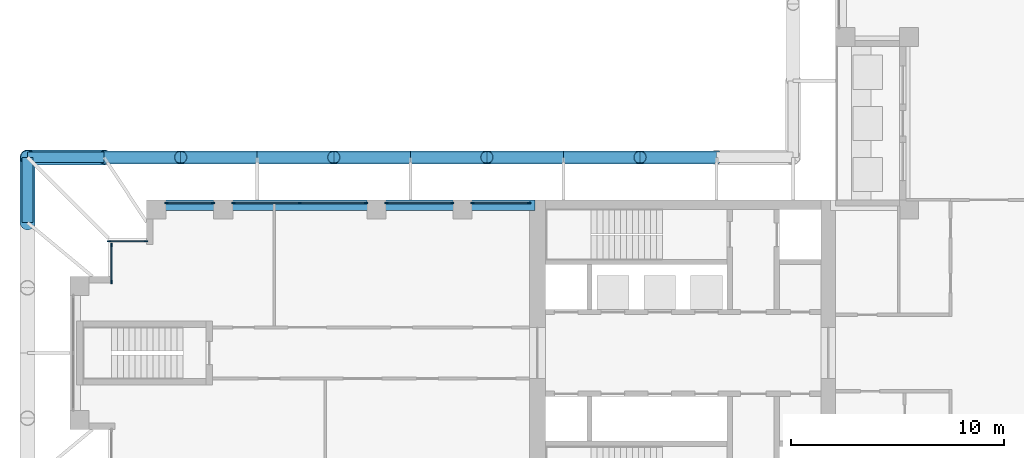
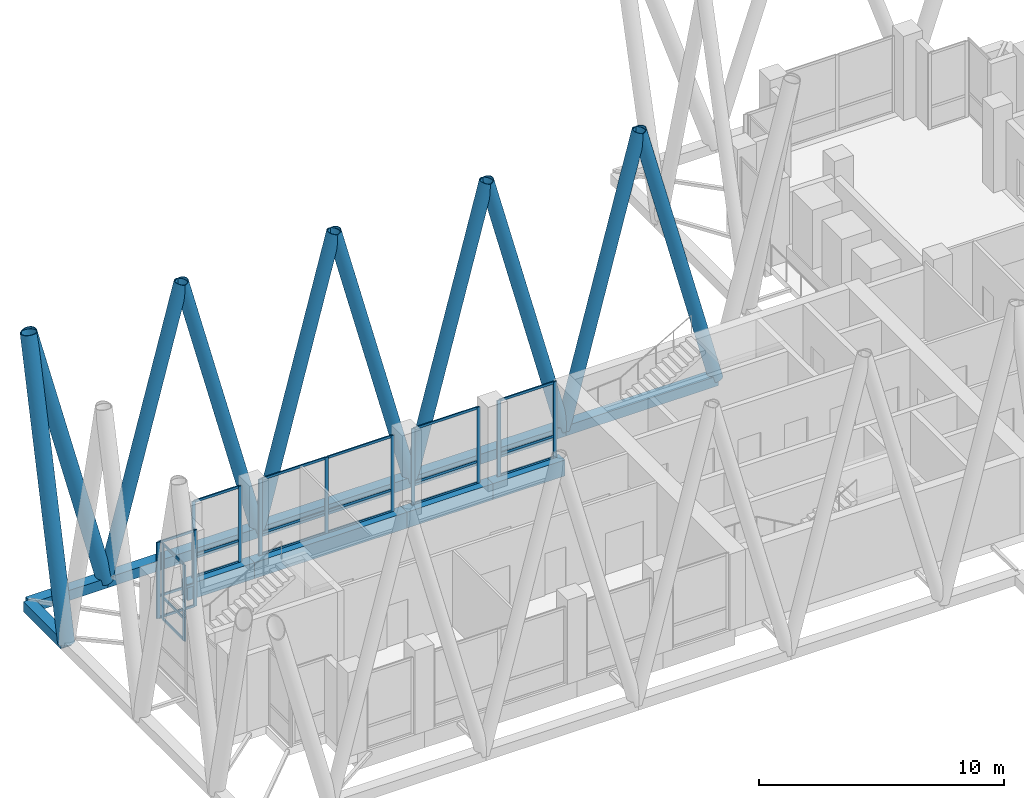
# One storey, part 5 of 22: 50 members, 4 beams, 6 elements without a shape of their own.
"""IFC4 building model written with IfcOpenShell, lengths in metres."""

from ifc_helpers import new_model, si_unit, direction, frame, origin, origin_2d, place, context, subcontext, project, spatial, rectangle, hollow_rectangle, hollow_circle, extrude, material, material_profile, profile_set, type_object, element, aggregate, save


model = new_model("IFC4")

# Units and contexts
model_context = context("Model", 3, precision=1e-05, world=origin(), true_north=direction((0.0, 1.0)))
body_context = subcontext(model_context, "Body", "Model", "MODEL_VIEW")
ifc_project = project(units=[si_unit("LENGTHUNIT", "METRE"), si_unit("AREAUNIT", "SQUARE_METRE"), si_unit("VOLUMEUNIT", "CUBIC_METRE"), si_unit("PLANEANGLEUNIT", "RADIAN"), si_unit("MASSUNIT", "GRAM", prefix="KILO")], contexts=[model_context])

# Site, building, storey
site_placement = place(None, origin())
site = spatial("IfcSite", under=ifc_project, at=site_placement, CompositionType="ELEMENT")
building_placement = place(site_placement, origin())
building = spatial("IfcBuilding", under=site, at=building_placement, Name="Fustian Cross Tower", CompositionType="ELEMENT")
storey_placement = place(building_placement, frame((0.0, 0.0, 116.10009765625)))
storey = spatial("IfcBuildingStorey", under=building, at=storey_placement, Name="L36", CompositionType="ELEMENT", Elevation=116.10009765625)

# Curtain wall, members
ifc_material_1 = material(Name="Dark anodised aluminium and double glazing", Category="aluminium")
curtain_wall_type = type_object("IfcCurtainWallType", Name="CW1 LOUNGE CURTAIN WALL", PredefinedType="NOTDEFINED", material=ifc_material_1)
curtain_wall_1_placement = place(storey_placement, origin())
curtain_wall_1 = element("IfcCurtainWall", 1, at=curtain_wall_1_placement, inside=storey, type_object=curtain_wall_type, Name="Curtain wall", PredefinedType="NOTDEFINED")
ifc_material_2 = material(Name="Aluminium alloy 6063", Category="aluminium")
ifc_material_profile_1 = material_profile(ifc_material_2, rectangle(XDim=0.06005859375, YDim=0.159912109375, at=origin_2d()), Name="CW1 MULLION 60X160")
ifc_profile_set_1 = profile_set([ifc_material_profile_1], Name="Aluminium alloy 6063")
member_type_1 = type_object("IfcMemberType", Name="CW1 MULLION 60X160", PredefinedType="MULLION", material=ifc_profile_set_1)
member_1_placement = place(storey_placement, frame((-21.6298828125, 7.050048828125, 0.0), z_axis=(0.0, 0.0, 1.0), x_axis=(0.0, -1.0, 0.0)))
member_1 = element("IfcMember", 2, at=member_1_placement, type_object=member_type_1, Name="CW1 mullion 1", PredefinedType="MULLION", context=body_context, shape_type="SweptSolid", body=[
    extrude(rectangle(XDim=0.06005859375, YDim=0.159912109375, at=origin_2d()), origin(), (0.0, 0.0, 1.0), 3.7998046875),
])
member_2_placement = place(storey_placement, frame((-24.27001953125, 7.050048828125, 0.0), z_axis=(0.0, 0.0, 1.0), x_axis=(0.0, -1.0, 0.0)))
member_2 = element("IfcMember", 3, at=member_2_placement, type_object=member_type_1, Name="CW1 mullion 2", PredefinedType="MULLION", context=body_context, shape_type="SweptSolid", body=[
    extrude(rectangle(XDim=0.06005859375, YDim=0.159912109375, at=origin_2d()), origin(), (0.0, 0.0, 1.0), 3.7998046875),
])

curtain_wall_2_placement = place(storey_placement, origin())
curtain_wall_2 = element("IfcCurtainWall", 4, at=curtain_wall_2_placement, inside=storey, type_object=curtain_wall_type, Name="Curtain wall", PredefinedType="NOTDEFINED")
member_3_placement = place(storey_placement, frame((-25.22998046875, 7.050048828125, 0.0), z_axis=(0.0, 0.0, 1.0), x_axis=(0.0, -1.0, 0.0)))
member_3 = element("IfcMember", 5, at=member_3_placement, type_object=member_type_1, Name="CW1 mullion 1", PredefinedType="MULLION", context=body_context, shape_type="SweptSolid", body=[
    extrude(rectangle(XDim=0.06005859375, YDim=0.159912109375, at=origin_2d()), origin(), (0.0, 0.0, 1.0), 3.7998046875),
])
member_4_placement = place(storey_placement, frame((-28.320068359375, 7.050048828125, 0.0), z_axis=(0.0, 0.0, 1.0), x_axis=(0.0, -1.0, 0.0)))
member_4 = element("IfcMember", 6, at=member_4_placement, type_object=member_type_1, Name="CW1 mullion 2", PredefinedType="MULLION", context=body_context, shape_type="SweptSolid", body=[
    extrude(rectangle(XDim=0.06005859375, YDim=0.159912109375, at=origin_2d()), origin(), (0.0, 0.0, 1.0), 3.7998046875),
])

curtain_wall_3_placement = place(storey_placement, origin())
curtain_wall_3 = element("IfcCurtainWall", 7, at=curtain_wall_3_placement, inside=storey, type_object=curtain_wall_type, Name="Curtain wall", PredefinedType="NOTDEFINED")
member_5_placement = place(storey_placement, frame((-29.280029296875, 7.050048828125, 0.0), z_axis=(0.0, 0.0, 1.0), x_axis=(0.0, -1.0, 0.0)))
member_5 = element("IfcMember", 8, at=member_5_placement, type_object=member_type_1, Name="CW1 mullion 1", PredefinedType="MULLION", context=body_context, shape_type="SweptSolid", body=[
    extrude(rectangle(XDim=0.06005859375, YDim=0.159912109375, at=origin_2d()), origin(), (0.0, 0.0, 1.0), 3.7998046875),
])
member_6_placement = place(storey_placement, frame((-32.39990234375, 7.050048828125, 0.0), z_axis=(0.0, 0.0, 1.0), x_axis=(0.0, -1.0, 0.0)))
member_6 = element("IfcMember", 9, at=member_6_placement, type_object=member_type_1, Name="CW1 mullion 2", PredefinedType="MULLION", context=body_context, shape_type="SweptSolid", body=[
    extrude(rectangle(XDim=0.06005859375, YDim=0.159912109375, at=origin_2d()), origin(), (0.0, 0.0, 1.0), 3.7998046875),
])
member_7_placement = place(storey_placement, frame((-35.52001953125, 7.050048828125, 0.0), z_axis=(0.0, 0.0, 1.0), x_axis=(0.0, -1.0, 0.0)))
member_7 = element("IfcMember", 10, at=member_7_placement, type_object=member_type_1, Name="CW1 mullion 3", PredefinedType="MULLION", context=body_context, shape_type="SweptSolid", body=[
    extrude(rectangle(XDim=0.06005859375, YDim=0.159912109375, at=origin_2d()), origin(), (0.0, 0.0, 1.0), 3.7998046875),
])

curtain_wall_4_placement = place(storey_placement, origin())
curtain_wall_4 = element("IfcCurtainWall", 11, at=curtain_wall_4_placement, inside=storey, type_object=curtain_wall_type, Name="Curtain wall", PredefinedType="NOTDEFINED")
member_8_placement = place(storey_placement, frame((-36.47998046875, 7.050048828125, 0.0), z_axis=(0.0, 0.0, 1.0), x_axis=(0.0, -1.0, 0.0)))
member_8 = element("IfcMember", 12, at=member_8_placement, type_object=member_type_1, Name="CW1 mullion 1", PredefinedType="MULLION", context=body_context, shape_type="SweptSolid", body=[
    extrude(rectangle(XDim=0.06005859375, YDim=0.159912109375, at=origin_2d()), origin(), (0.0, 0.0, 1.0), 3.7998046875),
])
member_9_placement = place(storey_placement, frame((-38.669921875, 7.050048828125, 0.0), z_axis=(0.0, 0.0, 1.0), x_axis=(0.0, -1.0, 0.0)))
member_9 = element("IfcMember", 13, at=member_9_placement, type_object=member_type_1, Name="CW1 mullion 2", PredefinedType="MULLION", context=body_context, shape_type="SweptSolid", body=[
    extrude(rectangle(XDim=0.06005859375, YDim=0.159912109375, at=origin_2d()), origin(), (0.0, 0.0, 1.0), 3.7998046875),
])

curtain_wall_5_placement = place(storey_placement, origin())
curtain_wall_5 = element("IfcCurtainWall", 14, at=curtain_wall_5_placement, inside=storey, type_object=curtain_wall_type, Name="Curtain wall", PredefinedType="NOTDEFINED")
member_10_placement = place(storey_placement, frame((-39.6298828125, 5.25, 0.0), z_axis=(0.0, 0.0, 1.0), x_axis=(0.0, -1.0, 0.0)))
member_10 = element("IfcMember", 15, at=member_10_placement, type_object=member_type_1, Name="CW1 mullion 1", PredefinedType="MULLION", context=body_context, shape_type="SweptSolid", body=[
    extrude(rectangle(XDim=0.06005859375, YDim=0.159912109375, at=origin_2d()), origin(), (0.0, 0.0, 1.0), 3.7998046875),
])
member_11_placement = place(storey_placement, frame((-41.3701171875, 5.25, 0.0), z_axis=(0.0, 0.0, 1.0), x_axis=(0.0, -1.0, 0.0)))
member_11 = element("IfcMember", 16, at=member_11_placement, type_object=member_type_1, Name="CW1 mullion 2", PredefinedType="MULLION", context=body_context, shape_type="SweptSolid", body=[
    extrude(rectangle(XDim=0.06005859375, YDim=0.159912109375, at=origin_2d()), origin(), (0.0, 0.0, 1.0), 3.7998046875),
])

curtain_wall_6_placement = place(storey_placement, origin())
curtain_wall_6 = element("IfcCurtainWall", 17, at=curtain_wall_6_placement, inside=storey, type_object=curtain_wall_type, Name="Curtain wall", PredefinedType="NOTDEFINED")
member_12_placement = place(storey_placement, frame((-41.25, 5.070068359375, 0.0), z_axis=(0.0, 0.0, 1.0), x_axis=(1.0, 0.0, 0.0)))
member_12 = element("IfcMember", 18, at=member_12_placement, type_object=member_type_1, Name="CW1 mullion 1", PredefinedType="MULLION", context=body_context, shape_type="SweptSolid", body=[
    extrude(rectangle(XDim=0.06005859375, YDim=0.159912109375, at=origin_2d()), origin(), (0.0, 0.0, 1.0), 3.7998046875),
])
member_13_placement = place(storey_placement, frame((-41.25, 3.330078125, 0.0), z_axis=(0.0, 0.0, 1.0), x_axis=(1.0, 0.0, 0.0)))
member_13 = element("IfcMember", 19, at=member_13_placement, type_object=member_type_1, Name="CW1 mullion 2", PredefinedType="MULLION", context=body_context, shape_type="SweptSolid", body=[
    extrude(rectangle(XDim=0.06005859375, YDim=0.159912109375, at=origin_2d()), origin(), (0.0, 0.0, 1.0), 3.7998046875),
])

# Member
ifc_material_3 = material(Name="Aluminium alloy 6063", Category="aluminium")
ifc_material_profile_2 = material_profile(ifc_material_3, rectangle(XDim=0.06005859375, YDim=0.1201171875, at=origin_2d()), Name="CW1 TRANSOM 60X120")
ifc_profile_set_2 = profile_set([ifc_material_profile_2], Name="Aluminium alloy 6063")
member_type_2 = type_object("IfcMemberType", Name="CW1 TRANSOM 60X120", PredefinedType="USERDEFINED", material=ifc_profile_set_2)
member_14_placement = place(storey_placement, frame((-21.659912109375, 7.050048828125, 0.02978515625), z_axis=(-1.0, 0.0, 0.0), x_axis=(0.0, -1.0, 0.0)))
member_14 = element("IfcMember", 20, at=member_14_placement, type_object=member_type_2, Name="CW1 transom 1.1", ObjectType="TRANSOM", PredefinedType="USERDEFINED", context=body_context, shape_type="SweptSolid", body=[
    extrude(rectangle(XDim=0.06005859375, YDim=0.1201171875, at=origin_2d()), origin(), (0.0, 0.0, 1.0), 2.580078125),
])

member_15_placement = place(storey_placement, frame((-21.659912109375, 7.050048828125, 1.099853515625), z_axis=(-1.0, 0.0, 0.0), x_axis=(0.0, -1.0, 0.0)))
member_15 = element("IfcMember", 21, at=member_15_placement, type_object=member_type_2, Name="CW1 transom 1.2", ObjectType="TRANSOM", PredefinedType="USERDEFINED", context=body_context, shape_type="SweptSolid", body=[
    extrude(rectangle(XDim=0.06005859375, YDim=0.1201171875, at=origin_2d()), origin(), (0.0, 0.0, 1.0), 2.580078125),
])

member_16_placement = place(storey_placement, frame((-21.659912109375, 7.050048828125, 3.77001953125), z_axis=(-1.0, 0.0, 0.0), x_axis=(0.0, -1.0, 0.0)))
member_16 = element("IfcMember", 22, at=member_16_placement, type_object=member_type_2, Name="CW1 transom 1.3", ObjectType="TRANSOM", PredefinedType="USERDEFINED", context=body_context, shape_type="SweptSolid", body=[
    extrude(rectangle(XDim=0.06005859375, YDim=0.1201171875, at=origin_2d()), origin(), (0.0, 0.0, 1.0), 2.580078125),
])

aggregate(curtain_wall_1, [member_1, member_2, member_14, member_15, member_16])

member_17_placement = place(storey_placement, frame((-25.260009765625, 7.050048828125, 0.02978515625), z_axis=(-1.0, 0.0, 0.0), x_axis=(0.0, -1.0, 0.0)))
member_17 = element("IfcMember", 23, at=member_17_placement, type_object=member_type_2, Name="CW1 transom 1.1", ObjectType="TRANSOM", PredefinedType="USERDEFINED", context=body_context, shape_type="SweptSolid", body=[
    extrude(rectangle(XDim=0.06005859375, YDim=0.1201171875, at=origin_2d()), origin(), (0.0, 0.0, 1.0), 3.030029296875),
])

member_18_placement = place(storey_placement, frame((-25.260009765625, 7.050048828125, 1.099853515625), z_axis=(-1.0, 0.0, 0.0), x_axis=(0.0, -1.0, 0.0)))
member_18 = element("IfcMember", 24, at=member_18_placement, type_object=member_type_2, Name="CW1 transom 1.2", ObjectType="TRANSOM", PredefinedType="USERDEFINED", context=body_context, shape_type="SweptSolid", body=[
    extrude(rectangle(XDim=0.06005859375, YDim=0.1201171875, at=origin_2d()), origin(), (0.0, 0.0, 1.0), 3.030029296875),
])

member_19_placement = place(storey_placement, frame((-25.260009765625, 7.050048828125, 3.77001953125), z_axis=(-1.0, 0.0, 0.0), x_axis=(0.0, -1.0, 0.0)))
member_19 = element("IfcMember", 25, at=member_19_placement, type_object=member_type_2, Name="CW1 transom 1.3", ObjectType="TRANSOM", PredefinedType="USERDEFINED", context=body_context, shape_type="SweptSolid", body=[
    extrude(rectangle(XDim=0.06005859375, YDim=0.1201171875, at=origin_2d()), origin(), (0.0, 0.0, 1.0), 3.030029296875),
])

aggregate(curtain_wall_2, [member_3, member_4, member_17, member_18, member_19])

member_20_placement = place(storey_placement, frame((-29.31005859375, 7.050048828125, 0.02978515625), z_axis=(-1.0, 0.0, 0.0), x_axis=(0.0, -1.0, 0.0)))
member_20 = element("IfcMember", 26, at=member_20_placement, type_object=member_type_2, Name="CW1 transom 1.1", ObjectType="TRANSOM", PredefinedType="USERDEFINED", context=body_context, shape_type="SweptSolid", body=[
    extrude(rectangle(XDim=0.06005859375, YDim=0.1201171875, at=origin_2d()), origin(), (0.0, 0.0, 1.0), 3.06005859375),
])

member_21_placement = place(storey_placement, frame((-29.31005859375, 7.050048828125, 1.099853515625), z_axis=(-1.0, 0.0, 0.0), x_axis=(0.0, -1.0, 0.0)))
member_21 = element("IfcMember", 27, at=member_21_placement, type_object=member_type_2, Name="CW1 transom 1.2", ObjectType="TRANSOM", PredefinedType="USERDEFINED", context=body_context, shape_type="SweptSolid", body=[
    extrude(rectangle(XDim=0.06005859375, YDim=0.1201171875, at=origin_2d()), origin(), (0.0, 0.0, 1.0), 3.06005859375),
])

member_22_placement = place(storey_placement, frame((-29.31005859375, 7.050048828125, 3.77001953125), z_axis=(-1.0, 0.0, 0.0), x_axis=(0.0, -1.0, 0.0)))
member_22 = element("IfcMember", 28, at=member_22_placement, type_object=member_type_2, Name="CW1 transom 1.3", ObjectType="TRANSOM", PredefinedType="USERDEFINED", context=body_context, shape_type="SweptSolid", body=[
    extrude(rectangle(XDim=0.06005859375, YDim=0.1201171875, at=origin_2d()), origin(), (0.0, 0.0, 1.0), 3.06005859375),
])

member_23_placement = place(storey_placement, frame((-32.429931640625, 7.050048828125, 0.02978515625), z_axis=(-1.0, 0.0, 0.0), x_axis=(0.0, -1.0, 0.0)))
member_23 = element("IfcMember", 29, at=member_23_placement, type_object=member_type_2, Name="CW1 transom 2.1", ObjectType="TRANSOM", PredefinedType="USERDEFINED", context=body_context, shape_type="SweptSolid", body=[
    extrude(rectangle(XDim=0.06005859375, YDim=0.1201171875, at=origin_2d()), origin(), (0.0, 0.0, 1.0), 3.06005859375),
])

member_24_placement = place(storey_placement, frame((-32.429931640625, 7.050048828125, 1.099853515625), z_axis=(-1.0, 0.0, 0.0), x_axis=(0.0, -1.0, 0.0)))
member_24 = element("IfcMember", 30, at=member_24_placement, type_object=member_type_2, Name="CW1 transom 2.2", ObjectType="TRANSOM", PredefinedType="USERDEFINED", context=body_context, shape_type="SweptSolid", body=[
    extrude(rectangle(XDim=0.06005859375, YDim=0.1201171875, at=origin_2d()), origin(), (0.0, 0.0, 1.0), 3.06005859375),
])

member_25_placement = place(storey_placement, frame((-32.429931640625, 7.050048828125, 3.77001953125), z_axis=(-1.0, 0.0, 0.0), x_axis=(0.0, -1.0, 0.0)))
member_25 = element("IfcMember", 31, at=member_25_placement, type_object=member_type_2, Name="CW1 transom 2.3", ObjectType="TRANSOM", PredefinedType="USERDEFINED", context=body_context, shape_type="SweptSolid", body=[
    extrude(rectangle(XDim=0.06005859375, YDim=0.1201171875, at=origin_2d()), origin(), (0.0, 0.0, 1.0), 3.06005859375),
])

aggregate(curtain_wall_3, [member_5, member_6, member_7, member_20, member_21, member_22, member_23, member_24, member_25])

member_26_placement = place(storey_placement, frame((-36.510009765625, 7.050048828125, 0.02978515625), z_axis=(-1.0, 0.0, 0.0), x_axis=(0.0, -1.0, 0.0)))
member_26 = element("IfcMember", 32, at=member_26_placement, type_object=member_type_2, Name="CW1 transom 1.1", ObjectType="TRANSOM", PredefinedType="USERDEFINED", context=body_context, shape_type="SweptSolid", body=[
    extrude(rectangle(XDim=0.06005859375, YDim=0.1201171875, at=origin_2d()), origin(), (0.0, 0.0, 1.0), 2.1298828125),
])

member_27_placement = place(storey_placement, frame((-36.510009765625, 7.050048828125, 1.099853515625), z_axis=(-1.0, 0.0, 0.0), x_axis=(0.0, -1.0, 0.0)))
member_27 = element("IfcMember", 33, at=member_27_placement, type_object=member_type_2, Name="CW1 transom 1.2", ObjectType="TRANSOM", PredefinedType="USERDEFINED", context=body_context, shape_type="SweptSolid", body=[
    extrude(rectangle(XDim=0.06005859375, YDim=0.1201171875, at=origin_2d()), origin(), (0.0, 0.0, 1.0), 2.1298828125),
])

member_28_placement = place(storey_placement, frame((-36.510009765625, 7.050048828125, 3.77001953125), z_axis=(-1.0, 0.0, 0.0), x_axis=(0.0, -1.0, 0.0)))
member_28 = element("IfcMember", 34, at=member_28_placement, type_object=member_type_2, Name="CW1 transom 1.3", ObjectType="TRANSOM", PredefinedType="USERDEFINED", context=body_context, shape_type="SweptSolid", body=[
    extrude(rectangle(XDim=0.06005859375, YDim=0.1201171875, at=origin_2d()), origin(), (0.0, 0.0, 1.0), 2.1298828125),
])

aggregate(curtain_wall_4, [member_8, member_9, member_26, member_27, member_28])

member_29_placement = place(storey_placement, frame((-39.659912109375, 5.25, 0.02978515625), z_axis=(-1.0, 0.0, 0.0), x_axis=(0.0, -1.0, 0.0)))
member_29 = element("IfcMember", 35, at=member_29_placement, type_object=member_type_2, Name="CW1 transom 1.1", ObjectType="TRANSOM", PredefinedType="USERDEFINED", context=body_context, shape_type="SweptSolid", body=[
    extrude(rectangle(XDim=0.06005859375, YDim=0.1201171875, at=origin_2d()), origin(), (0.0, 0.0, 1.0), 1.68017578125),
])

member_30_placement = place(storey_placement, frame((-39.659912109375, 5.25, 1.099853515625), z_axis=(-1.0, 0.0, 0.0), x_axis=(0.0, -1.0, 0.0)))
member_30 = element("IfcMember", 36, at=member_30_placement, type_object=member_type_2, Name="CW1 transom 1.2", ObjectType="TRANSOM", PredefinedType="USERDEFINED", context=body_context, shape_type="SweptSolid", body=[
    extrude(rectangle(XDim=0.06005859375, YDim=0.1201171875, at=origin_2d()), origin(), (0.0, 0.0, 1.0), 1.68017578125),
])

member_31_placement = place(storey_placement, frame((-39.659912109375, 5.25, 3.77001953125), z_axis=(-1.0, 0.0, 0.0), x_axis=(0.0, -1.0, 0.0)))
member_31 = element("IfcMember", 37, at=member_31_placement, type_object=member_type_2, Name="CW1 transom 1.3", ObjectType="TRANSOM", PredefinedType="USERDEFINED", context=body_context, shape_type="SweptSolid", body=[
    extrude(rectangle(XDim=0.06005859375, YDim=0.1201171875, at=origin_2d()), origin(), (0.0, 0.0, 1.0), 1.68017578125),
])

aggregate(curtain_wall_5, [member_10, member_11, member_29, member_30, member_31])

member_32_placement = place(storey_placement, frame((-41.25, 5.0400390625, 0.02978515625), z_axis=(0.0, -1.0, 0.0), x_axis=(1.0, 0.0, 0.0)))
member_32 = element("IfcMember", 38, at=member_32_placement, type_object=member_type_2, Name="CW1 transom 1.1", ObjectType="TRANSOM", PredefinedType="USERDEFINED", context=body_context, shape_type="SweptSolid", body=[
    extrude(rectangle(XDim=0.06005859375, YDim=0.1201171875, at=origin_2d()), origin(), (0.0, 0.0, 1.0), 1.679931640625),
])

member_33_placement = place(storey_placement, frame((-41.25, 5.0400390625, 1.099853515625), z_axis=(0.0, -1.0, 0.0), x_axis=(1.0, 0.0, 0.0)))
member_33 = element("IfcMember", 39, at=member_33_placement, type_object=member_type_2, Name="CW1 transom 1.2", ObjectType="TRANSOM", PredefinedType="USERDEFINED", context=body_context, shape_type="SweptSolid", body=[
    extrude(rectangle(XDim=0.06005859375, YDim=0.1201171875, at=origin_2d()), origin(), (0.0, 0.0, 1.0), 1.679931640625),
])

member_34_placement = place(storey_placement, frame((-41.25, 5.0400390625, 3.77001953125), z_axis=(0.0, -1.0, 0.0), x_axis=(1.0, 0.0, 0.0)))
member_34 = element("IfcMember", 40, at=member_34_placement, type_object=member_type_2, Name="CW1 transom 1.3", ObjectType="TRANSOM", PredefinedType="USERDEFINED", context=body_context, shape_type="SweptSolid", body=[
    extrude(rectangle(XDim=0.06005859375, YDim=0.1201171875, at=origin_2d()), origin(), (0.0, 0.0, 1.0), 1.679931640625),
])

aggregate(curtain_wall_6, [member_12, member_13, member_32, member_33, member_34])

# Members
ifc_material_4 = material(Name="Steel S355", Category="steel")
ifc_material_profile_3 = material_profile(ifc_material_4, hollow_circle(Radius=0.3046875, WallThickness=0.02490234375, at=origin_2d()), Name="CHS 610x25")
ifc_profile_set_3 = profile_set([ifc_material_profile_3], Name="Steel S355")
member_type_3 = type_object("IfcMemberType", Name="DIAGRID DIAGONAL CHS 610x25", PredefinedType="BRACE", material=ifc_profile_set_3)
member_35_placement = place(storey_placement, frame((-12.800048828125, 9.199951171875, -0.400146484375), z_axis=(-0.255881112712, 0.0, 0.966708258037), x_axis=(0.0, -1.0, 0.0)))
element("IfcMember", 41, at=member_35_placement, inside=storey, type_object=member_type_3, Name="Diagrid diagonal W-N 02", PredefinedType="BRACE", context=body_context, shape_type="SweptSolid", body=[
    extrude(hollow_circle(Radius=0.3046875, WallThickness=0.02490234375, at=origin_2d()), origin(), (0.0, 0.0, 1.0), 14.068359375),
])
for number, where, z_axis, x_axis, name in (
    (42, (-20.0, 9.199951171875, -0.400146484375), (0.255897330119, 0.0, 0.966703965254), (0.0, 1.0, 0.0), "Diagrid diagonal W-N 03"),
    (43, (-20.0, 9.199951171875, -0.400146484375), (-0.255897330119, 0.0, 0.966703965254), (0.0, -1.0, 0.0), "Diagrid diagonal W-N 04"),
):
    element("IfcMember", number, at=place(storey_placement, frame(where, z_axis=z_axis, x_axis=x_axis)), inside=storey, type_object=member_type_3, Name=name, PredefinedType="BRACE", context=body_context, shape_type="SweptSolid", body=[
        extrude(hollow_circle(Radius=0.3046875, WallThickness=0.02490234375, at=origin_2d()), origin(), (0.0, 0.0, 1.0), 14.068603515625),
    ])
member_36_placement = place(storey_placement, frame((-27.199951171875, 9.199951171875, -0.400146484375), z_axis=(0.255881112712, 0.0, 0.966708258037), x_axis=(0.0, 1.0, 0.0)))
element("IfcMember", 44, at=member_36_placement, inside=storey, type_object=member_type_3, Name="Diagrid diagonal W-N 05", PredefinedType="BRACE", context=body_context, shape_type="SweptSolid", body=[
    extrude(hollow_circle(Radius=0.3046875, WallThickness=0.02490234375, at=origin_2d()), origin(), (0.0, 0.0, 1.0), 14.068359375),
])
member_37_placement = place(storey_placement, frame((-27.199951171875, 9.199951171875, -0.400146484375), z_axis=(-0.255897330119, 0.0, 0.966703965254), x_axis=(0.0, -1.0, 0.0)))
element("IfcMember", 45, at=member_37_placement, inside=storey, type_object=member_type_3, Name="Diagrid diagonal W-N 06", PredefinedType="BRACE", context=body_context, shape_type="SweptSolid", body=[
    extrude(hollow_circle(Radius=0.3046875, WallThickness=0.02490234375, at=origin_2d()), origin(), (0.0, 0.0, 1.0), 14.068603515625),
])
member_38_placement = place(storey_placement, frame((-34.39990234375, 9.199951171875, -0.400146484375), z_axis=(0.255881112712, 0.0, 0.966708258037), x_axis=(0.0, 1.0, 0.0)))
element("IfcMember", 46, at=member_38_placement, inside=storey, type_object=member_type_3, Name="Diagrid diagonal W-N 07", PredefinedType="BRACE", context=body_context, shape_type="SweptSolid", body=[
    extrude(hollow_circle(Radius=0.3046875, WallThickness=0.02490234375, at=origin_2d()), origin(), (0.0, 0.0, 1.0), 14.068359375),
])
for number, where, z_axis, x_axis, name in (
    (47, (-34.39990234375, 9.199951171875, -0.400146484375), (-0.255897330119, 0.0, 0.966703965254), (0.0, -1.0, 0.0), "Diagrid diagonal W-N 08"),
    (48, (-41.60009765625, 9.199951171875, -0.400146484375), (0.255897330119, 0.0, 0.966703965254), (0.0, 1.0, 0.0), "Diagrid diagonal W-N 09"),
):
    element("IfcMember", number, at=place(storey_placement, frame(where, z_axis=z_axis, x_axis=x_axis)), inside=storey, type_object=member_type_3, Name=name, PredefinedType="BRACE", context=body_context, shape_type="SweptSolid", body=[
        extrude(hollow_circle(Radius=0.3046875, WallThickness=0.02490234375, at=origin_2d()), origin(), (0.0, 0.0, 1.0), 14.068603515625),
    ])
ifc_material_5 = material(Name="Steel S355", Category="steel")
ifc_material_profile_4 = material_profile(ifc_material_5, hollow_circle(Radius=0.355712890625, WallThickness=0.031982421875, at=origin_2d()), Name="CHS 711x32")
ifc_profile_set_4 = profile_set([ifc_material_profile_4], Name="Steel S355")
member_type_4 = type_object("IfcMemberType", Name="DIAGRID DIAGONAL CHS 711x32", PredefinedType="BRACE", material=ifc_profile_set_4)
member_39_placement = place(storey_placement, frame((-41.60009765625, 9.199951171875, -0.400146484375), z_axis=(-0.255881112712, 0.0, 0.966708258037), x_axis=(0.0, -1.0, 0.0)))
element("IfcMember", 49, at=member_39_placement, inside=storey, type_object=member_type_4, Name="Diagrid diagonal W-N 10", PredefinedType="BRACE", context=body_context, shape_type="SweptSolid", body=[
    extrude(hollow_circle(Radius=0.355712890625, WallThickness=0.031982421875, at=origin_2d()), origin(), (0.0, 0.0, 1.0), 14.068359375),
])
member_40_placement = place(storey_placement, frame((-45.199951171875, 6.13330078125, -0.400146484375), z_axis=(0.0, 0.219964705168, 0.975507831071), x_axis=(-1.0, 0.0, 0.0)))
element("IfcMember", 50, at=member_40_placement, inside=storey, type_object=member_type_4, Name="Diagrid diagonal W-end 01", PredefinedType="BRACE", context=body_context, shape_type="SweptSolid", body=[
    extrude(hollow_circle(Radius=0.355712890625, WallThickness=0.031982421875, at=origin_2d()), origin(), (0.0, 0.0, 1.0), 13.941650390625),
])
ifc_material_6 = material(Name="Steel S355", Category="steel")
ifc_material_profile_5 = material_profile(ifc_material_6, hollow_rectangle(XDim=0.5, YDim=0.5, WallThickness=0.02490234375, at=origin_2d()), Name="RHS 500x500x25")
ifc_profile_set_5 = profile_set([ifc_material_profile_5], Name="Steel S355")
member_type_5 = type_object("IfcMemberType", Name="DIAGRID RING RHS 500x500x25", PredefinedType="MEMBER", material=ifc_profile_set_5)
for number, where, z_axis, x_axis, name in (
    (51, (-12.800048828125, 9.199951171875, -0.400146484375), (-1.0, 0.0, 0.0), (0.0, -1.0, 0.0), "Diagrid ring L36-18 L36-19"),
    (52, (-20.0, 9.199951171875, -0.400146484375), (-1.0, 0.0, 0.0), (0.0, -1.0, 0.0), "Diagrid ring L36-19 L36-20"),
    (53, (-27.199951171875, 9.199951171875, -0.400146484375), (-1.0, 0.0, 0.0), (0.0, -1.0, 0.0), "Diagrid ring L36-20 L36-21"),
):
    element("IfcMember", number, at=place(storey_placement, frame(where, z_axis=z_axis, x_axis=x_axis)), inside=storey, type_object=member_type_5, Name=name, PredefinedType="MEMBER", context=body_context, shape_type="SweptSolid", body=[
        extrude(hollow_rectangle(XDim=0.5, YDim=0.5, WallThickness=0.02490234375, at=origin_2d()), origin(), (0.0, 0.0, 1.0), 7.199951171875),
    ])
member_41_placement = place(storey_placement, frame((-34.39990234375, 9.199951171875, -0.400146484375), z_axis=(-1.0, 0.0, 0.0), x_axis=(0.0, -1.0, 0.0)))
element("IfcMember", 54, at=member_41_placement, inside=storey, type_object=member_type_5, Name="Diagrid ring L36-21 L36-22", PredefinedType="MEMBER", context=body_context, shape_type="SweptSolid", body=[
    extrude(hollow_rectangle(XDim=0.5, YDim=0.5, WallThickness=0.02490234375, at=origin_2d()), origin(), (0.0, 0.0, 1.0), 7.2001953125),
])
member_42_placement = place(storey_placement, frame((-41.60009765625, 9.199951171875, -0.400146484375), z_axis=(-1.0, 0.0, 0.0), x_axis=(0.0, -1.0, 0.0)))
element("IfcMember", 55, at=member_42_placement, inside=storey, type_object=member_type_5, Name="Diagrid ring L36-22 L36-23", PredefinedType="MEMBER", context=body_context, shape_type="SweptSolid", body=[
    extrude(hollow_rectangle(XDim=0.5, YDim=0.5, WallThickness=0.02490234375, at=origin_2d()), origin(), (0.0, 0.0, 1.0), 3.599853515625),
])
member_43_placement = place(storey_placement, frame((-45.199951171875, 9.199951171875, -0.400146484375), z_axis=(0.0, -1.0, 0.0), x_axis=(1.0, 0.0, 0.0)))
element("IfcMember", 56, at=member_43_placement, inside=storey, type_object=member_type_5, Name="Diagrid ring L36-23 L36-24", PredefinedType="MEMBER", context=body_context, shape_type="SweptSolid", body=[
    extrude(hollow_rectangle(XDim=0.5, YDim=0.5, WallThickness=0.02490234375, at=origin_2d()), origin(), (0.0, 0.0, 1.0), 3.066650390625),
])

# Beams
ifc_material_7 = material(Name="Concrete C50/60", Category="concrete")
ifc_material_profile_6 = material_profile(ifc_material_7, rectangle(XDim=0.5, YDim=0.800048828125, at=origin_2d()), Name="RC 500x800")
ifc_profile_set_6 = profile_set([ifc_material_profile_6], Name="Concrete C50/60")
beam_type = type_object("IfcBeamType", Name="EDGE BEAM RC 500x800 C50/60", PredefinedType="SPANDREL", material=ifc_profile_set_6)
beam_1_placement = place(storey_placement, frame((-21.35009765625, 6.949951171875, -0.400146484375), z_axis=(-1.0, 0.0, 0.0), x_axis=(0.0, -1.0, 0.0)))
element("IfcBeam", 57, at=beam_1_placement, inside=storey, type_object=beam_type, Name="EDGE BEAM L36-19", PredefinedType="SPANDREL", context=body_context, shape_type="SweptSolid", body=[
    extrude(rectangle(XDim=0.5, YDim=0.800048828125, at=origin_2d()), origin(), (0.0, 0.0, 1.0), 3.39990234375),
])
beam_2_placement = place(storey_placement, frame((-24.75, 6.949951171875, -0.400146484375), z_axis=(-1.0, 0.0, 0.0), x_axis=(0.0, -1.0, 0.0)))
element("IfcBeam", 58, at=beam_2_placement, inside=storey, type_object=beam_type, Name="EDGE BEAM L36-20", PredefinedType="SPANDREL", context=body_context, shape_type="SweptSolid", body=[
    extrude(rectangle(XDim=0.5, YDim=0.800048828125, at=origin_2d()), origin(), (0.0, 0.0, 1.0), 4.050048828125),
])
beam_3_placement = place(storey_placement, frame((-28.800048828125, 6.949951171875, -0.400146484375), z_axis=(-1.0, 0.0, 0.0), x_axis=(0.0, -1.0, 0.0)))
element("IfcBeam", 59, at=beam_3_placement, inside=storey, type_object=beam_type, Name="EDGE BEAM L36-21", PredefinedType="SPANDREL", context=body_context, shape_type="SweptSolid", body=[
    extrude(rectangle(XDim=0.5, YDim=0.800048828125, at=origin_2d()), origin(), (0.0, 0.0, 1.0), 7.199951171875),
])
beam_4_placement = place(storey_placement, frame((-36.0, 6.949951171875, -0.400146484375), z_axis=(-1.0, 0.0, 0.0), x_axis=(0.0, -1.0, 0.0)))
element("IfcBeam", 60, at=beam_4_placement, inside=storey, type_object=beam_type, Name="EDGE BEAM L36-22", PredefinedType="SPANDREL", context=body_context, shape_type="SweptSolid", body=[
    extrude(rectangle(XDim=0.5, YDim=0.800048828125, at=origin_2d()), origin(), (0.0, 0.0, 1.0), 3.14990234375),
])

save(model, "model.ifc")
